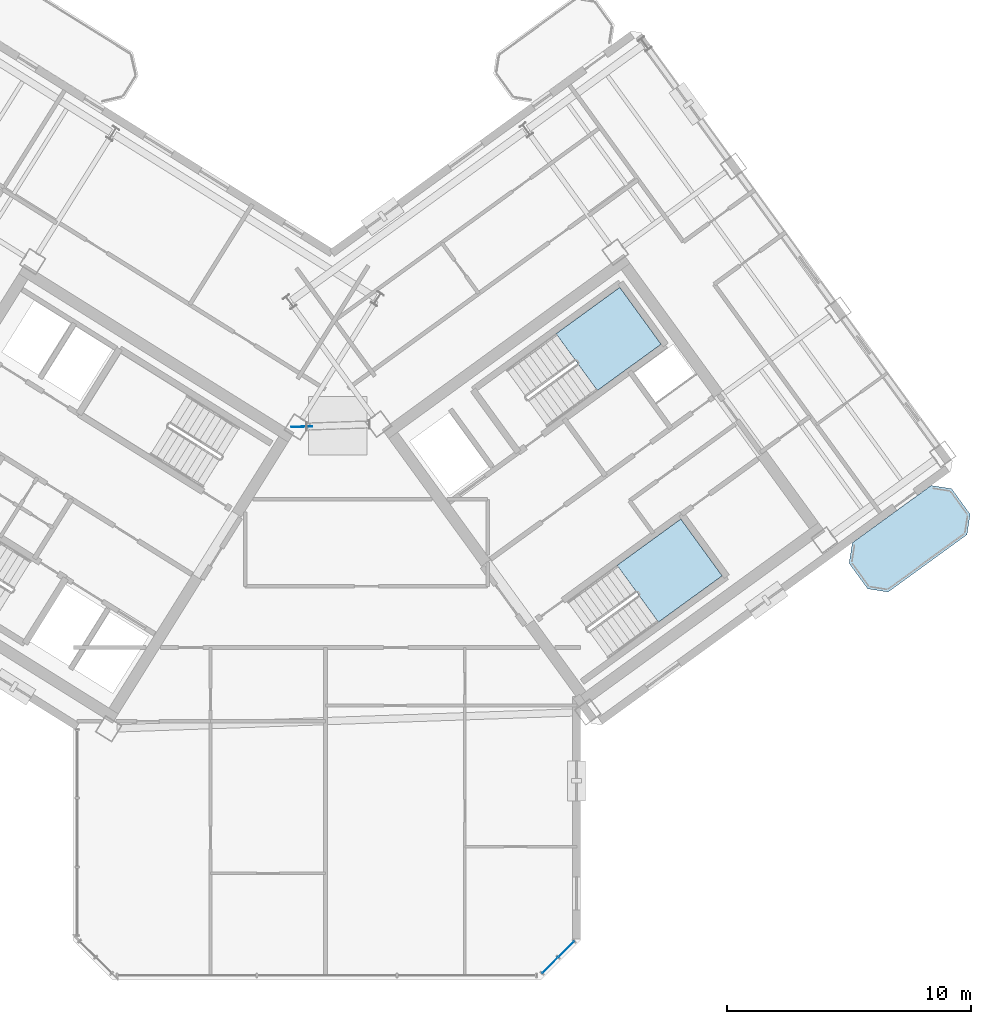
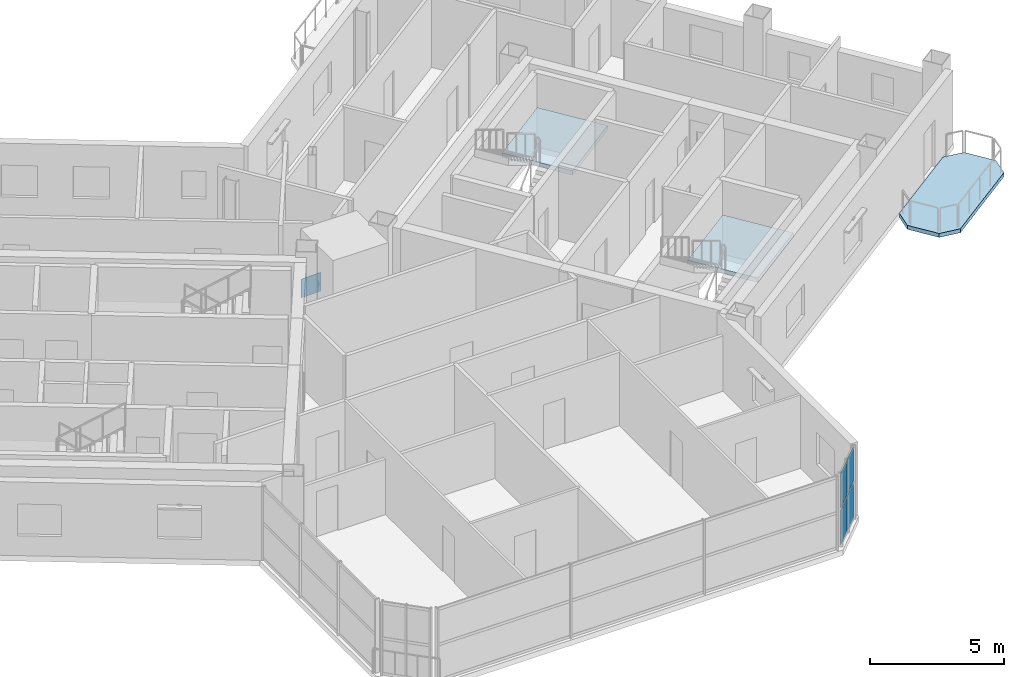
# One storey, part 10 of 23: 5 plates, 3 slabs, 3 elements without a shape of their own.
"""IFC4 building model written with IfcOpenShell, lengths in metres."""

from ifc_helpers import new_model, si_unit, direction, frame, origin, origin_2d, place, context, subcontext, project, spatial, polyline, rectangle, outline, extrude, source, transform, mapped, material, layer, layer_set, type_object, element, aggregate, save


model = new_model("IFC4")

# Units and contexts
model_context = context("Model", 3, precision=1e-05, world=origin(), true_north=direction((0.0, 1.0)))
body_context = subcontext(model_context, "Body", "Model", "MODEL_VIEW")
ifc_project = project(units=[si_unit("LENGTHUNIT", "METRE"), si_unit("AREAUNIT", "SQUARE_METRE"), si_unit("VOLUMEUNIT", "CUBIC_METRE"), si_unit("PLANEANGLEUNIT", "RADIAN"), si_unit("MASSUNIT", "GRAM", prefix="KILO")], contexts=[model_context])

# Site, building, storey
site_placement = place(None, origin())
site = spatial("IfcSite", under=ifc_project, at=site_placement, CompositionType="ELEMENT")
building_placement = place(site_placement, origin())
building = spatial("IfcBuilding", under=site, at=building_placement, Name="Tlacorven Tower", CompositionType="ELEMENT")
storey_placement = place(building_placement, frame((0.0, 0.0, 218.39990234375)))
storey = spatial("IfcBuildingStorey", under=building, at=storey_placement, Name="L55", CompositionType="ELEMENT", Elevation=218.39990234375)

# Slab
ifc_material_1 = material(Name="Precast concrete C45/55", Category="concrete")
ifc_layer_1 = layer(ifc_material_1, 0.179931640625)
ifc_layer_set_1 = layer_set([ifc_layer_1], Name="Precast concrete C45/55")
slab_type_1 = type_object("IfcSlabType", Name="SL-BAL-180", PredefinedType="USERDEFINED", material=ifc_layer_set_1)
slab_1_placement = place(storey_placement, frame((0.0, 0.0, -0.179931640625)))
element("IfcSlab", 1, at=slab_1_placement, inside=storey, type_object=slab_type_1, Name="L55 East Wing Balcony Ribbon OUT", ObjectType="BALCONY SLAB", PredefinedType="USERDEFINED", context=body_context, shape_type="SweptSolid", body=[
    extrude(outline(polyline([(65.025634765625, 17.69482421875), (68.26171875, 20.046142578125), (68.394287109375, 20.884033203125), (67.633056640625, 21.931884765625), (66.795166015625, 22.064453125), (63.55908203125, 19.71337890625), (63.42626953125, 18.875244140625), (64.1875, 17.82763671875), (65.025634765625, 17.69482421875)])), origin(), (0.0, 0.0, 1.0), 0.179931640625),
])

# Stair, slab
ifc_material_2 = material(Name="Concrete C40/50", Category="concrete")
stair_type = type_object("IfcStairType", Name="ST-CORE-DLG", PredefinedType="HALF_TURN_STAIR", material=ifc_material_2)
stair_1_placement = place(storey_placement, origin())
stair_1 = element("IfcStair", 2, at=stair_1_placement, inside=storey, type_object=stair_type, Name="L55 Protected Exit Stair East 1", PredefinedType="HALF_TURN_STAIR")
ifc_layer_2 = layer(ifc_material_2, 0.199951171875)
ifc_layer_set_2 = layer_set([ifc_layer_2], Name="Concrete C40/50")
slab_type_2 = type_object("IfcSlabType", Name="SL-LND-200", PredefinedType="LANDING", material=ifc_layer_set_2)
slab_2_placement = place(storey_placement, frame((0.0, 0.0, 1.60009765625)))
slab_2 = element("IfcSlab", 3, at=slab_2_placement, type_object=slab_type_2, Name="ST-E1 landing 1", PredefinedType="LANDING", context=body_context, shape_type="SweptSolid", body=[
    extrude(outline(polyline([(53.09765625, 25.962890625), (55.7109375, 27.861572265625), (54.01806640625, 30.19140625), (51.40478515625, 28.29296875), (53.09765625, 25.962890625)])), origin(), (0.0, 0.0, 1.0), 0.199951171875),
])
aggregate(stair_1, [slab_2])

stair_2_placement = place(storey_placement, origin())
stair_2 = element("IfcStair", 4, at=stair_2_placement, inside=storey, type_object=stair_type, Name="L55 Protected Exit Stair East 2", PredefinedType="HALF_TURN_STAIR")
slab_3_placement = place(storey_placement, frame((0.0, 0.0, 1.60009765625)))
slab_3 = element("IfcSlab", 5, at=slab_3_placement, type_object=slab_type_2, Name="ST-E2 landing 1", PredefinedType="LANDING", context=body_context, shape_type="SweptSolid", body=[
    extrude(outline(polyline([(55.601806640625, 16.4599609375), (58.21484375, 18.3583984375), (56.52197265625, 20.6884765625), (53.908935546875, 18.789794921875), (55.601806640625, 16.4599609375)])), origin(), (0.0, 0.0, 1.0), 0.199951171875),
])
aggregate(stair_2, [slab_3])

# Plate
ifc_material_3 = material(Name="Steel S355J2", Category="steel")
ifc_layer_3 = layer(ifc_material_3, 0.02587890625)
ifc_layer_set_3 = layer_set([ifc_layer_3], Name="Steel S355J2")
plate_type_1 = type_object("IfcPlateType", Name="PL-NODE-TN1", PredefinedType="SHEET", material=ifc_layer_set_3)
shared_shape_1 = source(origin(), body_context, "Body", "SweptSolid", [
    extrude(rectangle(XDim=0.85009765625, YDim=0.02587890625, at=origin_2d()), origin(), (0.0, 0.0, 1.0), 0.85009765625),
])
plate_1_placement = place(storey_placement, frame((40.972900390625, 24.47509765625, 1.324951171875), z_axis=(0.0, 0.0, 1.0), x_axis=(0.999390830681, 0.034899391837, 0.0)))
element("IfcPlate", 6, at=plate_1_placement, inside=storey, type_object=plate_type_1, Name="L55 structural node gusset plate TRB-L55-RING", PredefinedType="SHEET", context=body_context, shape_type="MappedRepresentation", body=[
    mapped(shared_shape_1, transform((0.0, 0.0, 0.0), scale=1.0)),
])

# Curtain wall, plates
ifc_material_4 = material(Name="Dark solar low-E double glazing in aluminium frame", Category="aluminium")
curtain_wall_type = type_object("IfcCurtainWallType", Name="CW-TWR-HIGH", PredefinedType="USERDEFINED", material=ifc_material_4)
curtain_wall_placement = place(storey_placement, origin())
curtain_wall = element("IfcCurtainWall", 7, at=curtain_wall_placement, inside=storey, type_object=curtain_wall_type, Name="L55 CW-TWR-HIGH Curtain Wall 249", ObjectType="UNITISED CURTAIN WALL", PredefinedType="USERDEFINED")
ifc_material_5 = material(Name="High-wind dark solar tempered low-E glazing", Category="glass")
ifc_layer_4 = layer(ifc_material_5, 0.028076171875)
ifc_layer_set_4 = layer_set([ifc_layer_4], Name="High-wind dark solar tempered low-E glazing")
plate_type_2 = type_object("IfcPlateType", Name="CWP-03", PredefinedType="CURTAIN_PANEL", material=ifc_layer_set_4)
shared_shape_2 = source(origin(), body_context, "Body", "SweptSolid", [
    extrude(rectangle(XDim=0.89306640625, YDim=0.028076171875, at=origin_2d()), origin(), (0.0, 0.0, 1.0), 1.572998046875),
])
plate_2_placement = place(storey_placement, frame((51.8173828125, 3.043701171875, 0.05126953125), z_axis=(0.0, 0.0, 1.0), x_axis=(-0.707106781187, -0.707106781187, 0.0)))
plate_2 = element("IfcPlate", 8, at=plate_2_placement, type_object=plate_type_2, Name="CW-L55-249 Glazing Panel 1", PredefinedType="CURTAIN_PANEL", context=body_context, shape_type="MappedRepresentation", body=[
    mapped(shared_shape_2, transform((0.0, 0.0, 0.0), scale=1.0)),
])
plate_3_placement = place(storey_placement, frame((51.8173828125, 3.043701171875, 1.72607421875), z_axis=(0.0, 0.0, 1.0), x_axis=(-0.707106781187, -0.707106781187, 0.0)))
plate_3 = element("IfcPlate", 9, at=plate_3_placement, type_object=plate_type_2, Name="CW-L55-249 Glazing Panel 2", PredefinedType="CURTAIN_PANEL", context=body_context, shape_type="MappedRepresentation", body=[
    mapped(shared_shape_2, transform((0.0, 0.0, 0.0), scale=1.0)),
])
plate_4_placement = place(storey_placement, frame((51.15625, 2.382568359375, 0.05126953125), z_axis=(0.0, 0.0, 1.0), x_axis=(-0.707106781187, -0.707106781187, 0.0)))
plate_4 = element("IfcPlate", 10, at=plate_4_placement, type_object=plate_type_2, Name="CW-L55-249 Glazing Panel 3", PredefinedType="CURTAIN_PANEL", context=body_context, shape_type="MappedRepresentation", body=[
    mapped(shared_shape_2, transform((0.0, 0.0, 0.0), scale=1.0)),
])
plate_5_placement = place(storey_placement, frame((51.15625, 2.382568359375, 1.72607421875), z_axis=(0.0, 0.0, 1.0), x_axis=(-0.707106781187, -0.707106781187, 0.0)))
plate_5 = element("IfcPlate", 11, at=plate_5_placement, type_object=plate_type_2, Name="CW-L55-249 Glazing Panel 4", PredefinedType="CURTAIN_PANEL", context=body_context, shape_type="MappedRepresentation", body=[
    mapped(shared_shape_2, transform((0.0, 0.0, 0.0), scale=1.0)),
])
aggregate(curtain_wall, [plate_2, plate_3, plate_4, plate_5])

save(model, "model.ifc")
